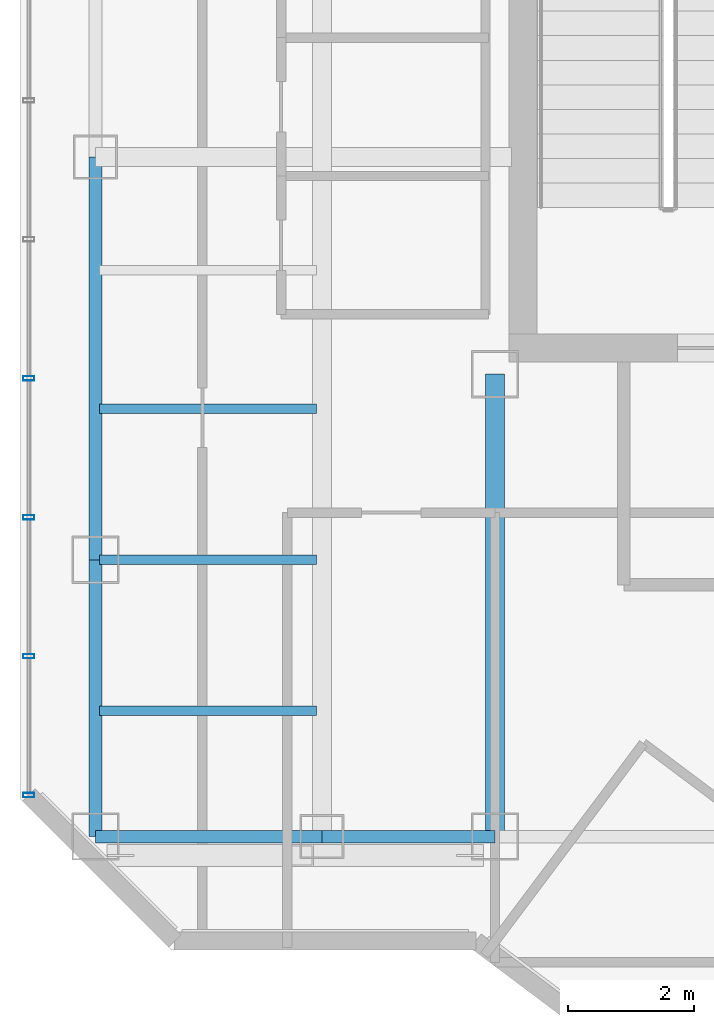
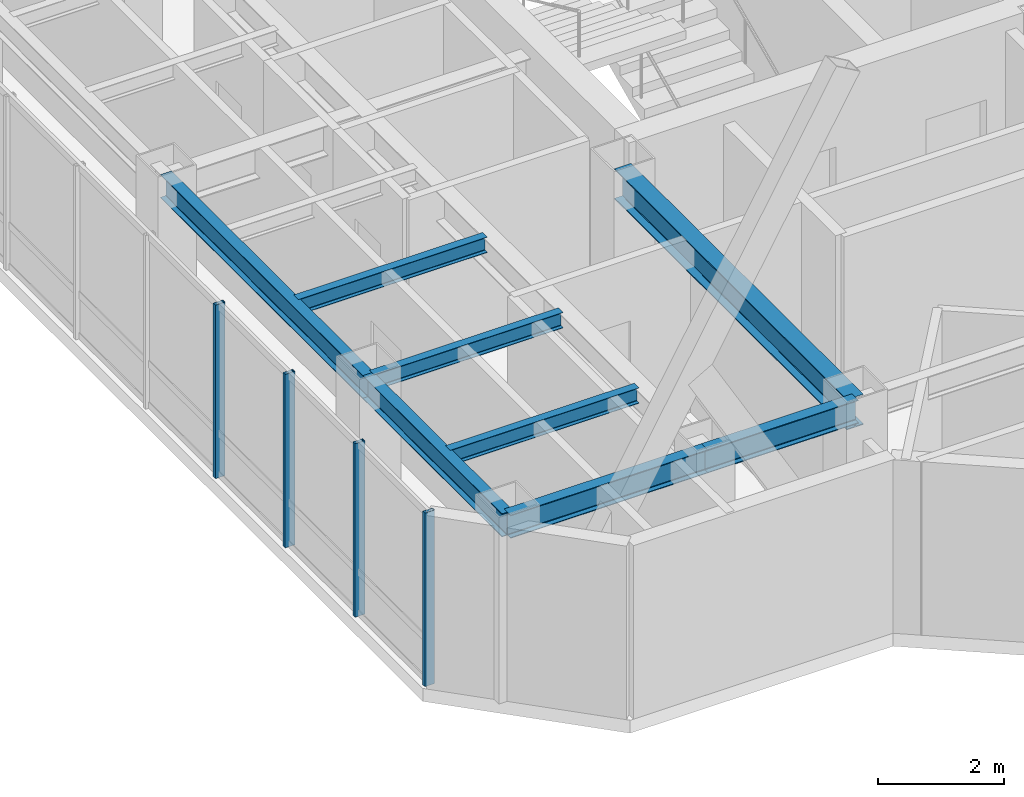
# One storey, part 4 of 24: 8 beams, 4 members, 1 element without a shape of its own.
"""IFC4 building model written with IfcOpenShell, lengths in metres."""

from ifc_helpers import new_model, si_unit, direction, frame, origin, origin_2d, place, context, subcontext, project, spatial, hollow_rectangle, i_section, extrude, material, layer, layer_set, material_profile, profile_set, type_object, element, aggregate, save


model = new_model("IFC4")

# Units and contexts
model_context = context("Model", 3, precision=1e-05, world=origin(), true_north=direction((0.0, 1.0)))
body_context = subcontext(model_context, "Body", "Model", "MODEL_VIEW")
ifc_project = project(units=[si_unit("LENGTHUNIT", "METRE"), si_unit("AREAUNIT", "SQUARE_METRE"), si_unit("VOLUMEUNIT", "CUBIC_METRE"), si_unit("PLANEANGLEUNIT", "RADIAN"), si_unit("MASSUNIT", "GRAM", prefix="KILO")], contexts=[model_context])

# Site, building, storey
site_placement = place(None, origin())
site = spatial("IfcSite", under=ifc_project, at=site_placement, CompositionType="ELEMENT")
building_placement = place(site_placement, origin())
building = spatial("IfcBuilding", under=site, at=building_placement, Name="Hatsunagi Terrace Concourse", CompositionType="ELEMENT")
storey_placement = place(building_placement, frame((0.0, 0.0, 191.550048828125)))
storey = spatial("IfcBuildingStorey", under=building, at=storey_placement, Name="L50", CompositionType="ELEMENT", Elevation=191.550048828125)

# Curtain wall, members
ifc_material_1 = material(Name="Anodised Aluminium Alloy 6063-T5", Category="aluminium")
ifc_layer = layer(ifc_material_1, 0.199951171875)
ifc_layer_set = layer_set([ifc_layer], Name="OfficeZone2_CW04")
curtain_wall_type = type_object("IfcCurtainWallType", Name="OfficeZone2_CW04", PredefinedType="NOTDEFINED", material=ifc_layer_set)
curtain_wall_placement = place(storey_placement, origin())
curtain_wall = element("IfcCurtainWall", 1, at=curtain_wall_placement, inside=storey, type_object=curtain_wall_type, Name="Unitised Curtain Wall CW-04 CW-L50-08", PredefinedType="NOTDEFINED")
ifc_material_2 = material(Name="Anodised Aluminium Alloy 6063-T5", Category="aluminium")
ifc_material_profile_1 = material_profile(ifc_material_2, hollow_rectangle(XDim=0.070068359375, YDim=0.179931640625, WallThickness=0.00390625, at=origin_2d()), Name="ALU-MUL-180x70x4")
ifc_profile_set_1 = profile_set([ifc_material_profile_1], Name="Anodised Aluminium Alloy 6063-T5")
member_type = type_object("IfcMemberType", Name="CurtainWallMullion_180x70", PredefinedType="MULLION", material=ifc_profile_set_1)
member_1_placement = place(storey_placement, frame((18.139892578125, 25.85791015625, 0.0), z_axis=(0.0, 0.0, 1.0), x_axis=(0.0, 1.0, 0.0)))
member_1 = element("IfcMember", 2, at=member_1_placement, type_object=member_type, Name="Curtain Wall Mullion MUL-02", PredefinedType="MULLION", context=body_context, shape_type="SweptSolid", body=[
    extrude(hollow_rectangle(XDim=0.070068359375, YDim=0.179931640625, WallThickness=0.00390625, at=origin_2d()), origin(), (0.0, 0.0, 1.0), 3.349853515625),
])
member_2_placement = place(storey_placement, frame((18.139892578125, 28.06591796875, 0.0), z_axis=(0.0, 0.0, 1.0), x_axis=(0.0, 1.0, 0.0)))
member_2 = element("IfcMember", 3, at=member_2_placement, type_object=member_type, Name="Curtain Wall Mullion MUL-02", PredefinedType="MULLION", context=body_context, shape_type="SweptSolid", body=[
    extrude(hollow_rectangle(XDim=0.070068359375, YDim=0.179931640625, WallThickness=0.00390625, at=origin_2d()), origin(), (0.0, 0.0, 1.0), 3.349853515625),
])
member_3_placement = place(storey_placement, frame((18.139892578125, 30.27490234375, 0.0), z_axis=(0.0, 0.0, 1.0), x_axis=(0.0, 1.0, 0.0)))
member_3 = element("IfcMember", 4, at=member_3_placement, type_object=member_type, Name="Curtain Wall Mullion MUL-02", PredefinedType="MULLION", context=body_context, shape_type="SweptSolid", body=[
    extrude(hollow_rectangle(XDim=0.070068359375, YDim=0.179931640625, WallThickness=0.00390625, at=origin_2d()), origin(), (0.0, 0.0, 1.0), 3.349853515625),
])
member_4_placement = place(storey_placement, frame((18.139892578125, 32.48291015625, 0.0), z_axis=(0.0, 0.0, 1.0), x_axis=(0.0, 1.0, 0.0)))
member_4 = element("IfcMember", 5, at=member_4_placement, type_object=member_type, Name="Curtain Wall Mullion MUL-02", PredefinedType="MULLION", context=body_context, shape_type="SweptSolid", body=[
    extrude(hollow_rectangle(XDim=0.070068359375, YDim=0.179931640625, WallThickness=0.00390625, at=origin_2d()), origin(), (0.0, 0.0, 1.0), 3.349853515625),
])
aggregate(curtain_wall, [member_1, member_2, member_3, member_4])

# Beams
ifc_material_3 = material(Name="Steel SN490B", Category="steel")
ifc_material_profile_2 = material_profile(ifc_material_3, i_section(OverallWidth=0.300048828125, OverallDepth=0.587890625, WebThickness=0.011962890625, FlangeThickness=0.02001953125, FilletRadius=0.01806640625, at=origin_2d()), Name="H-588x300x12x20")
ifc_profile_set_2 = profile_set([ifc_material_profile_2], Name="Steel SN490B")
beam_type_1 = type_object("IfcBeamType", Name="OfficeHighGirder_H_588x300", PredefinedType="BEAM", material=ifc_profile_set_2)
beam_1_placement = place(storey_placement, frame((25.550048828125, 25.199951171875, 3.055908203125), z_axis=(0.0, 1.0, 0.0), x_axis=(-1.0, 0.0, 0.0)))
element("IfcBeam", 6, at=beam_1_placement, inside=storey, type_object=beam_type_1, Name="Beam G-06 BM-L50-K1CA", PredefinedType="BEAM", context=body_context, shape_type="SweptSolid", body=[
    extrude(i_section(OverallWidth=0.300048828125, OverallDepth=0.587890625, WebThickness=0.011962890625, FlangeThickness=0.02001953125, FilletRadius=0.01806640625, at=origin_2d()), origin(), (0.0, 0.0, 1.0), 7.35009765625),
])
ifc_material_4 = material(Name="Steel SN490B", Category="steel")
ifc_material_profile_3 = material_profile(ifc_material_4, i_section(OverallWidth=0.14990234375, OverallDepth=0.300048828125, WebThickness=0.006591796875, FlangeThickness=0.009033203125, FilletRadius=0.010986328125, at=origin_2d()), Name="H-300x150x6.5x9")
ifc_profile_set_3 = profile_set([ifc_material_profile_3], Name="Steel SN490B")
beam_type_2 = type_object("IfcBeamType", Name="OfficeJoist_H_300x150", PredefinedType="JOIST", material=ifc_profile_set_3)
for number, where, z_axis, x_axis, name in (
    (7, (19.264892578125, 27.199951171875, 3.199951171875), (1.0, 0.0, 0.0), (0.0, 1.0, 0.0), "Beam J-03 J-L50-W-19-272"),
    (8, (19.264892578125, 29.60009765625, 3.199951171875), (1.0, 0.0, 0.0), (0.0, 1.0, 0.0), "Beam J-03 J-L50-W-19-296"),
    (9, (19.264892578125, 32.0, 3.199951171875), (1.0, 0.0, 0.0), (0.0, 1.0, 0.0), "Beam J-03 J-L50-W-19-320"),
):
    element("IfcBeam", number, at=place(storey_placement, frame(where, z_axis=z_axis, x_axis=x_axis)), inside=storey, type_object=beam_type_2, Name=name, PredefinedType="JOIST", context=body_context, shape_type="SweptSolid", body=[
        extrude(i_section(OverallWidth=0.14990234375, OverallDepth=0.300048828125, WebThickness=0.006591796875, FlangeThickness=0.009033203125, FilletRadius=0.010986328125, at=origin_2d()), origin(), (0.0, 0.0, 1.0), 3.4501953125),
    ])
ifc_material_5 = material(Name="Steel SN490B", Category="steel")
ifc_material_profile_4 = material_profile(ifc_material_5, i_section(OverallWidth=0.199951171875, OverallDepth=0.449951171875, WebThickness=0.009033203125, FlangeThickness=0.013916015625, FilletRadius=0.01611328125, at=origin_2d()), Name="H-450x200x9x14")
ifc_profile_set_4 = profile_set([ifc_material_profile_4], Name="Steel SN490B")
beam_type_3 = type_object("IfcBeamType", Name="PerimeterSpandrel_H_450x200", PredefinedType="SPANDREL", material=ifc_profile_set_4)
beam_2_placement = place(storey_placement, frame((19.199951171875, 25.199951171875, 3.125), z_axis=(1.0, 0.0, 0.0), x_axis=(0.0, 1.0, 0.0)))
element("IfcBeam", 10, at=beam_2_placement, inside=storey, type_object=beam_type_3, Name="Beam SP-02 BM-L50-WS-19", PredefinedType="SPANDREL", context=body_context, shape_type="SweptSolid", body=[
    extrude(i_section(OverallWidth=0.199951171875, OverallDepth=0.449951171875, WebThickness=0.009033203125, FlangeThickness=0.013916015625, FilletRadius=0.01611328125, at=origin_2d()), origin(), (0.0, 0.0, 1.0), 3.60009765625),
])
beam_3_placement = place(storey_placement, frame((22.800048828125, 25.199951171875, 3.125), z_axis=(1.0, 0.0, 0.0), x_axis=(0.0, 1.0, 0.0)))
element("IfcBeam", 11, at=beam_3_placement, inside=storey, type_object=beam_type_3, Name="Beam SP-02 BM-L50-WS-22", PredefinedType="SPANDREL", context=body_context, shape_type="SweptSolid", body=[
    extrude(i_section(OverallWidth=0.199951171875, OverallDepth=0.449951171875, WebThickness=0.009033203125, FlangeThickness=0.013916015625, FilletRadius=0.01611328125, at=origin_2d()), origin(), (0.0, 0.0, 1.0), 2.75),
])
beam_4_placement = place(storey_placement, frame((19.199951171875, 25.199951171875, 3.125), z_axis=(0.0, 1.0, 0.0), x_axis=(-1.0, 0.0, 0.0)))
element("IfcBeam", 12, at=beam_4_placement, inside=storey, type_object=beam_type_3, Name="Beam SP-02 BM-L50-NS-19-25", PredefinedType="SPANDREL", context=body_context, shape_type="SweptSolid", body=[
    extrude(i_section(OverallWidth=0.199951171875, OverallDepth=0.449951171875, WebThickness=0.009033203125, FlangeThickness=0.013916015625, FilletRadius=0.01611328125, at=origin_2d()), origin(), (0.0, 0.0, 1.0), 4.400146484375),
])
beam_5_placement = place(storey_placement, frame((19.199951171875, 29.60009765625, 3.125), z_axis=(0.0, 1.0, 0.0), x_axis=(-1.0, 0.0, 0.0)))
element("IfcBeam", 13, at=beam_5_placement, inside=storey, type_object=beam_type_3, Name="Beam SP-02 BM-L50-NS-19-29", PredefinedType="SPANDREL", context=body_context, shape_type="SweptSolid", body=[
    extrude(i_section(OverallWidth=0.199951171875, OverallDepth=0.449951171875, WebThickness=0.009033203125, FlangeThickness=0.013916015625, FilletRadius=0.01611328125, at=origin_2d()), origin(), (0.0, 0.0, 1.0), 6.39990234375),
])

save(model, "model.ifc")
